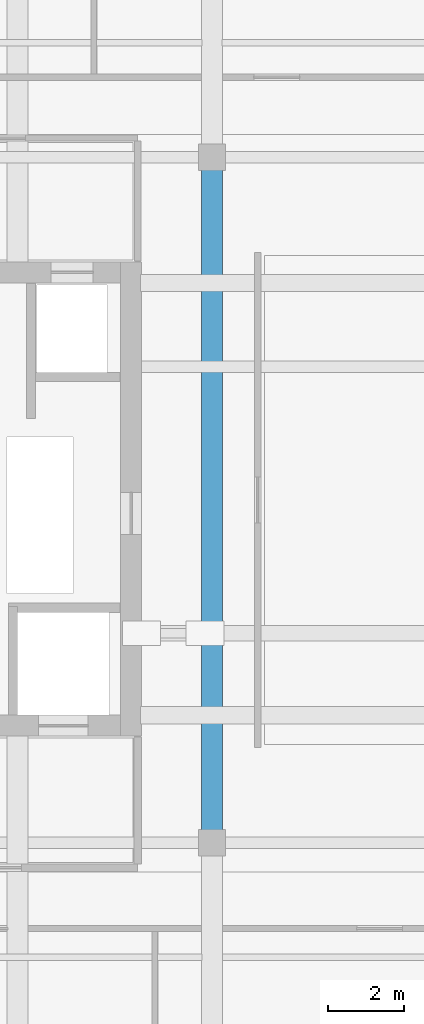
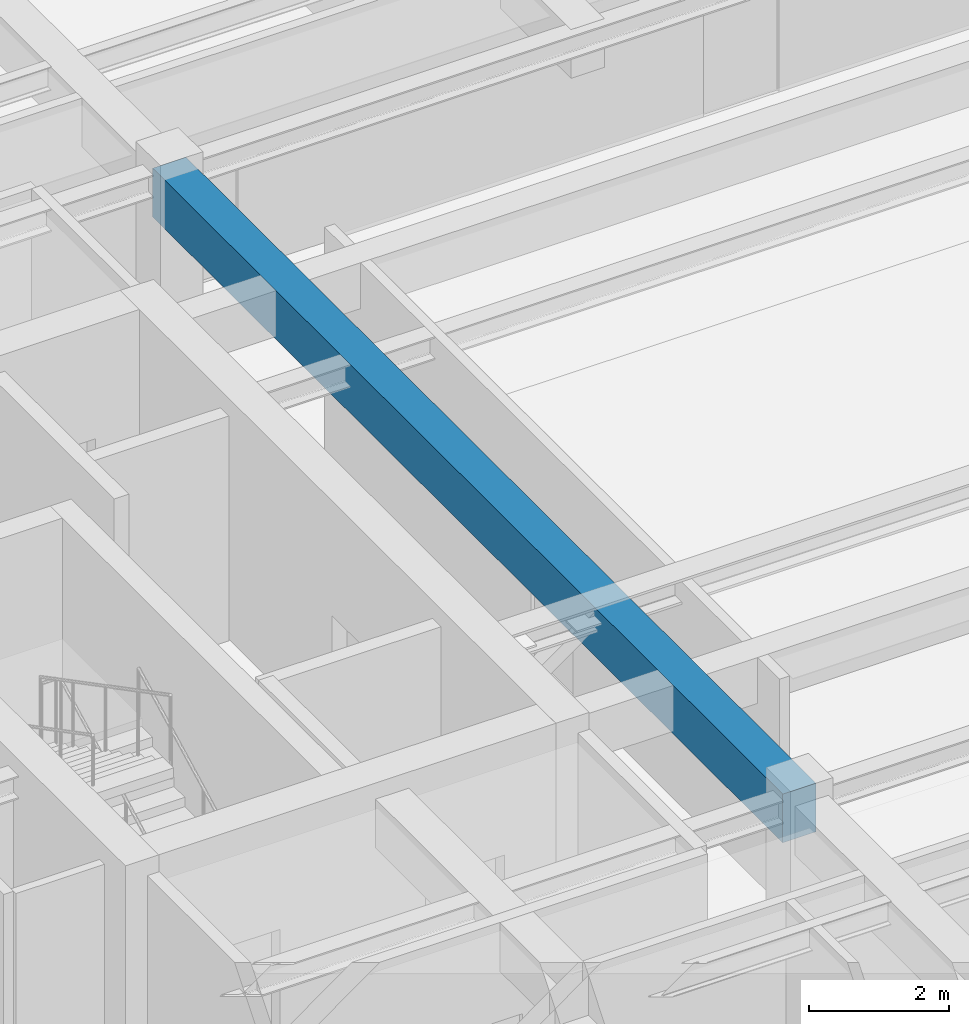
# One storey, part 3 of 19: 1 beam.
"""IFC4 building model written with IfcOpenShell, lengths in metres."""

from ifc_helpers import new_model, si_unit, direction, frame, origin, origin_2d, place, context, subcontext, project, spatial, rectangle, extrude, source, transform, mapped, material, material_profile, profile_set, type_object, element, save


model = new_model("IFC4")

# Units and contexts
model_context = context("Model", 3, precision=1e-05, world=origin(), true_north=direction((0.0, 1.0)))
body_context = subcontext(model_context, "Body", "Model", "MODEL_VIEW")
ifc_project = project(units=[si_unit("LENGTHUNIT", "METRE"), si_unit("AREAUNIT", "SQUARE_METRE"), si_unit("VOLUMEUNIT", "CUBIC_METRE"), si_unit("PLANEANGLEUNIT", "RADIAN"), si_unit("MASSUNIT", "GRAM", prefix="KILO")], contexts=[model_context])

# Site, building, storey
site_placement = place(None, origin())
site = spatial("IfcSite", under=ifc_project, at=site_placement, CompositionType="ELEMENT")
building_placement = place(site_placement, origin())
building = spatial("IfcBuilding", under=site, at=building_placement, Name="Khoralis Quay Care Tower", CompositionType="ELEMENT")
storey_placement = place(building_placement, frame((0.0, 0.0, 285.300048828125)))
storey = spatial("IfcBuildingStorey", under=building, at=storey_placement, Name="L75", CompositionType="ELEMENT", Elevation=285.300048828125)

# Beam
ifc_material = material(Name="Concrete C50/60", Category="concrete")
ifc_material_profile = material_profile(ifc_material, rectangle(XDim=0.550048828125, YDim=0.85009765625, at=origin_2d()), Name="Concrete C50/60")
ifc_profile_set = profile_set([ifc_material_profile], Name="Concrete C50/60")
beam_type = type_object("IfcBeamType", Name="BM-RC550X850", PredefinedType="BEAM", material=ifc_profile_set)
shared_shape = source(origin(), body_context, "Body", "SweptSolid", [
    extrude(rectangle(XDim=0.550048828125, YDim=0.85009765625, at=origin_2d()), origin(), (0.0, 0.0, 1.0), 18.0),
])
beam_placement = place(storey_placement, frame((17.10009765625, 12.0, 3.494873046875), z_axis=(0.0, 1.0, 0.0), x_axis=(-1.0, 0.0, 0.0)))
element("IfcBeam", 1, at=beam_placement, inside=storey, type_object=beam_type, Name="BM-TGSW-L75", PredefinedType="BEAM", context=body_context, shape_type="MappedRepresentation", body=[
    mapped(shared_shape, transform((0.0, 0.0, 0.0), scale=1.0)),
])

save(model, "model.ifc")
